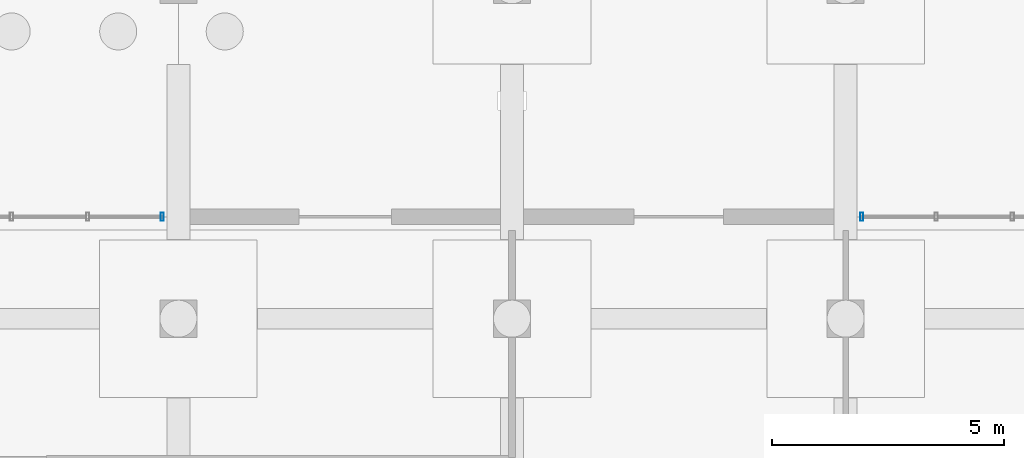
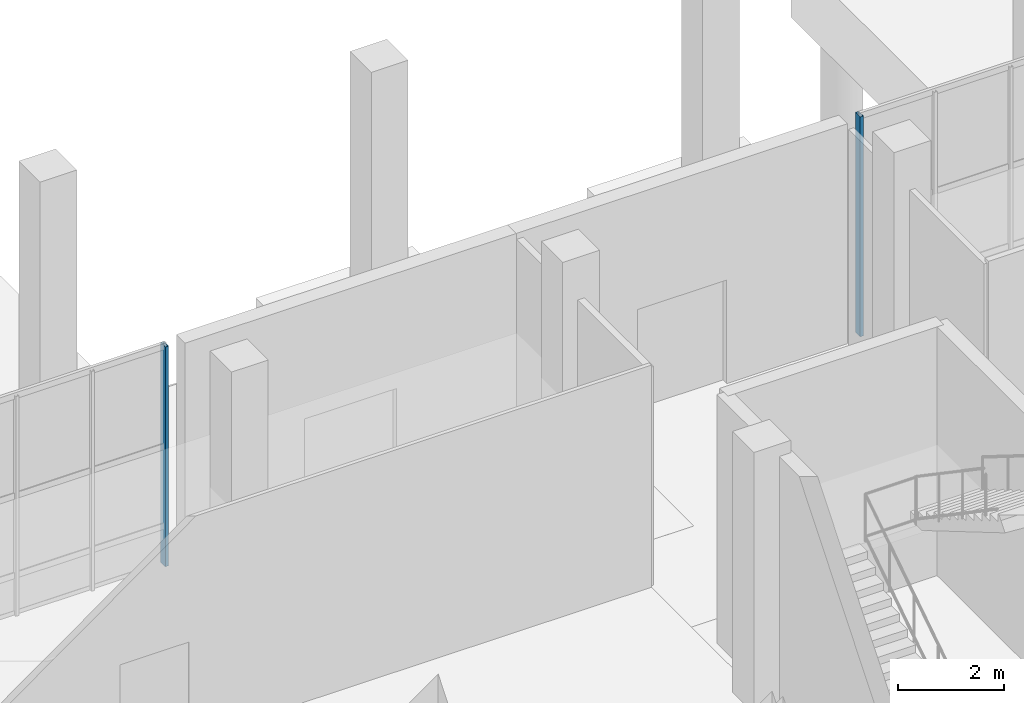
# One storey, part 20 of 45: 2 members, 2 elements without a shape of their own.
"""IFC4 building model written with IfcOpenShell, lengths in metres."""

from ifc_helpers import new_model, si_unit, direction, frame, origin, origin_2d, place, context, subcontext, project, spatial, hollow_rectangle, extrude, material, material_profile, profile_set, type_object, element, aggregate, save


model = new_model("IFC4")

# Units and contexts
model_context = context("Model", 3, precision=1e-05, world=origin(), true_north=direction((0.0, 1.0)))
body_context = subcontext(model_context, "Body", "Model", "MODEL_VIEW")
ifc_project = project(units=[si_unit("LENGTHUNIT", "METRE"), si_unit("AREAUNIT", "SQUARE_METRE"), si_unit("VOLUMEUNIT", "CUBIC_METRE"), si_unit("PLANEANGLEUNIT", "RADIAN"), si_unit("MASSUNIT", "GRAM", prefix="KILO")], contexts=[model_context])

# Site, building, storey
site_placement = place(None, origin())
site = spatial("IfcSite", under=ifc_project, at=site_placement, CompositionType="ELEMENT")
building_placement = place(site_placement, origin())
building = spatial("IfcBuilding", under=site, at=building_placement, Name="Yarey Park Central Fire Station", CompositionType="ELEMENT")
storey_placement = place(building_placement, origin())
storey = spatial("IfcBuildingStorey", under=building, at=storey_placement, Name="L01", CompositionType="ELEMENT", Elevation=0.0)

# Curtain wall, member
ifc_material = material(Name="Anodized Aluminium Frame", Category="aluminium")
curtain_wall_type = type_object("IfcCurtainWallType", Name="ENV_CW_HQ_L01", PredefinedType="NOTDEFINED", material=ifc_material)
curtain_wall_1_placement = place(storey_placement, origin())
curtain_wall_1 = element("IfcCurtainWall", 1, at=curtain_wall_1_placement, inside=storey, type_object=curtain_wall_type, Name="CW_L01_V4_N_2", PredefinedType="NOTDEFINED")
ifc_material_profile = material_profile(ifc_material, hollow_rectangle(XDim=0.070068359375, YDim=0.179931640625, WallThickness=0.00390625, at=origin_2d()), Name="ALU 180x70x4")
ifc_profile_set = profile_set([ifc_material_profile], Name="Anodized Aluminium Frame")
member_type = type_object("IfcMemberType", Name="ENV_CW_MULLION", PredefinedType="MULLION", material=ifc_profile_set)
member_1_placement = place(storey_placement, frame((129.25, 110.199951171875, 0.0), z_axis=(0.0, 0.0, 1.0), x_axis=(1.0, 0.0, 0.0)))
member_1 = element("IfcMember", 2, at=member_1_placement, type_object=member_type, Name="CW_L01_V4_N_2_MUL1", PredefinedType="MULLION", context=body_context, shape_type="SweptSolid", body=[
    extrude(hollow_rectangle(XDim=0.070068359375, YDim=0.179931640625, WallThickness=0.00390625, at=origin_2d()), origin(), (0.0, 0.0, 1.0), 5.050048828125),
])
aggregate(curtain_wall_1, [member_1])

curtain_wall_2_placement = place(storey_placement, origin())
curtain_wall_2 = element("IfcCurtainWall", 3, at=curtain_wall_2_placement, inside=storey, type_object=curtain_wall_type, Name="CW_L01_V4_N_5", PredefinedType="NOTDEFINED")
member_2_placement = place(storey_placement, frame((144.35009765625, 110.199951171875, 0.0), z_axis=(0.0, 0.0, 1.0), x_axis=(1.0, 0.0, 0.0)))
member_2 = element("IfcMember", 4, at=member_2_placement, type_object=member_type, Name="CW_L01_V4_N_5_MUL5", PredefinedType="MULLION", context=body_context, shape_type="SweptSolid", body=[
    extrude(hollow_rectangle(XDim=0.070068359375, YDim=0.179931640625, WallThickness=0.00390625, at=origin_2d()), origin(), (0.0, 0.0, 1.0), 5.050048828125),
])
aggregate(curtain_wall_2, [member_2])

save(model, "model.ifc")
